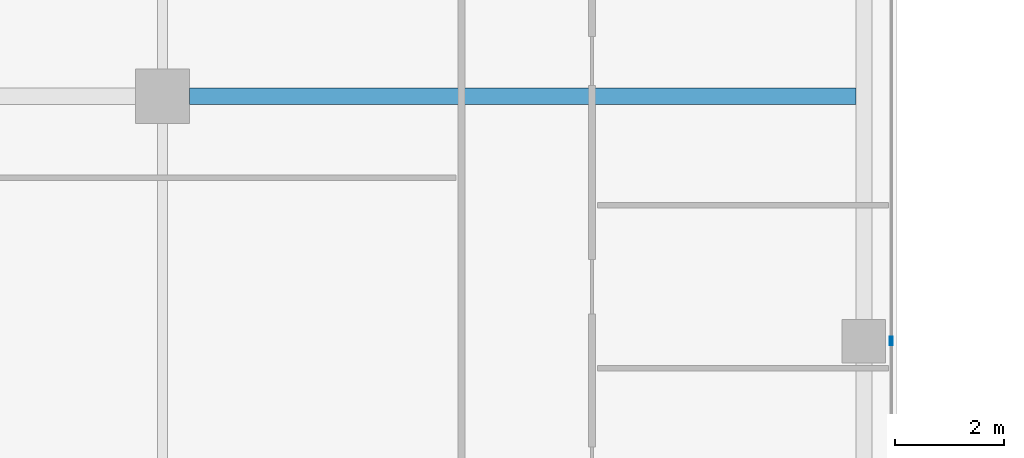
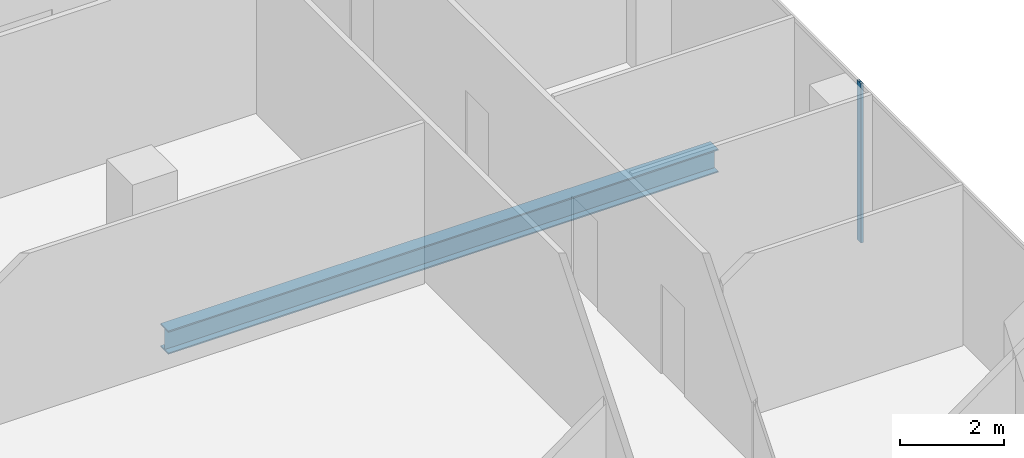
# One storey, part 10 of 28: 1 beam, 1 member, 1 element without a shape of its own.
"""IFC4 building model written with IfcOpenShell, lengths in metres."""

import ifcopenshell
import ifcopenshell.guid

model = None  # the IFC model being written
_history = None  # IfcOwnerHistory: only IFC2X3 demands one
_inside = {}  # id of a spatial element -> (the spatial element, [elements in it])
_under = {}  # id of a project, library or spatial element -> (it, [spatial elements below it])
_declared = {}  # id of a project -> (the project, [libraries it declares])
_typed = {}  # id of a type object -> (the type object, [elements of that type])
_made_of = {}  # id of a material, layer set ... -> (it, [elements and type objects made of it])


def new_model(schema):
    """Start an empty IFC model of exactly this schema.

    Asked for "IFC4X3", IfcOpenShell would pick the latest addendum, in which some entities
    have other attributes; the version numbers below select the first issue.
    IFC2X3 requires an IfcOwnerHistory on every rooted entity: one is made here for all.
    """
    global model, _history
    if schema == "IFC4X3":
        model = ifcopenshell.file(schema_version=(4, 3, 0, 0))
    else:
        model = ifcopenshell.file(schema=schema)
    _inside.clear()
    _under.clear()
    _declared.clear()
    _typed.clear()
    _made_of.clear()
    _history = None
    if model.schema == "IFC2X3":
        org = make("IfcOrganization", Name="unknown")
        user = make(
            "IfcPersonAndOrganization",
            ThePerson=make("IfcPerson", FamilyName="unknown"),
            TheOrganization=org,
        )
        app = make(
            "IfcApplication",
            ApplicationDeveloper=org,
            Version="unknown",
            ApplicationFullName="unknown",
            ApplicationIdentifier="unknown",
        )
        _history = make(
            "IfcOwnerHistory",
            OwningUser=user,
            OwningApplication=app,
            ChangeAction="ADDED",
            CreationDate=0,
        )
    return model


def make(cls, **values):
    """One entity of the class cls with the attributes given. An attribute that is None is left unset."""
    return model.create_entity(
        cls, **{name: value for name, value in values.items() if value is not None}
    )


def rooted(cls, **values):
    """An entity with a GlobalId (a new one), such as an element, a storey or a relation."""
    return make(cls, GlobalId=ifcopenshell.guid.new(), OwnerHistory=_history, **values)


def si_unit(unit_type, name, prefix=None):
    """IfcSIUnit, for example si_unit("LENGTHUNIT", "METRE", prefix="MILLI")."""
    return make("IfcSIUnit", UnitType=unit_type, Prefix=prefix, Name=name)


def assignment(units):
    """IfcUnitAssignment: the units of a project."""
    return None if units is None else make("IfcUnitAssignment", Units=units)


def point(xyz):
    """IfcCartesianPoint."""
    return None if xyz is None else make("IfcCartesianPoint", Coordinates=xyz)


def direction(xyz):
    """IfcDirection."""
    return None if xyz is None else make("IfcDirection", DirectionRatios=xyz)


def frame(location, z_axis=None, x_axis=None):
    """IfcAxis2Placement3D, a coordinate frame: its origin and axes. An axis left out is left unset."""
    return make(
        "IfcAxis2Placement3D",
        Location=point(location),
        Axis=direction(z_axis),
        RefDirection=direction(x_axis),
    )


def frame_2d(location, x_axis=None):
    """IfcAxis2Placement2D, a coordinate frame in the plane: its origin and x axis."""
    return make(
        "IfcAxis2Placement2D", Location=point(location), RefDirection=direction(x_axis)
    )


def origin():
    """The frame at (0, 0, 0) with its axes left unset."""
    return frame((0.0, 0.0, 0.0))


def origin_2d():
    """The frame at (0, 0) in the plane with its x axis left unset."""
    return frame_2d((0.0, 0.0))


def place(relative_to, where):
    """IfcLocalPlacement: puts the frame where relative to a parent placement (None: the world)."""
    return make(
        "IfcLocalPlacement", PlacementRelTo=relative_to, RelativePlacement=where
    )


def context(
    kind, dimensions, precision=None, world=None, true_north=None, identifier=None
):
    """IfcGeometricRepresentationContext, for example the 3D "Model" context."""
    return make(
        "IfcGeometricRepresentationContext",
        ContextIdentifier=identifier,
        ContextType=kind,
        CoordinateSpaceDimension=dimensions,
        Precision=precision,
        WorldCoordinateSystem=world,
        TrueNorth=true_north,
    )


def subcontext(parent, identifier, kind, view, scale=None):
    """IfcGeometricRepresentationSubContext, for example "Body" below "Model"."""
    return make(
        "IfcGeometricRepresentationSubContext",
        ContextIdentifier=identifier,
        ContextType=kind,
        ParentContext=parent,
        TargetScale=scale,
        TargetView=view,
    )


def project(units=None, contexts=None):
    """IfcProject with its units and contexts."""
    return rooted(
        "IfcProject",
        Name="project",
        RepresentationContexts=contexts,
        UnitsInContext=assignment(units),
    )


def spatial(cls, under=None, at=None, **own):
    """A site, building, storey or space (cls), placed at a placement, below another one or the project."""
    s = rooted(cls, ObjectPlacement=at, **own)
    if under is not None:
        _under.setdefault(under.id(), (under, []))[1].append(s)
    return s


def profile(cls, at=None, kind="AREA", **sizes):
    """A parametric profile (cls). Its sizes go by their IFC names, for example OverallWidth=200.0."""
    return make(cls, ProfileType=kind, Position=at, **sizes)


def hollow_rectangle(**sizes):
    """IfcRectangleHollowProfileDef."""
    return profile("IfcRectangleHollowProfileDef", **sizes)


def i_section(**sizes):
    """IfcIShapeProfileDef."""
    return profile("IfcIShapeProfileDef", **sizes)


def extrude(swept, where, along, depth):
    """IfcExtrudedAreaSolid: the profile swept, set in the frame where, extruded along a direction by depth."""
    return make(
        "IfcExtrudedAreaSolid",
        SweptArea=swept,
        Position=where,
        ExtrudedDirection=direction(along),
        Depth=depth,
    )


def shape(context_of_items, identifier, shape_type, items):
    """IfcShapeRepresentation: the items that make up one representation, for example the "Body"."""
    return make(
        "IfcShapeRepresentation",
        ContextOfItems=context_of_items,
        RepresentationIdentifier=identifier,
        RepresentationType=shape_type,
        Items=items,
    )


def source(mapping_origin, context_of_items, identifier, shape_type, items):
    """IfcRepresentationMap: a shape defined once, which mapped items show again and again."""
    return make(
        "IfcRepresentationMap",
        MappingOrigin=mapping_origin,
        MappedRepresentation=shape(context_of_items, identifier, shape_type, items),
    )


def transform(
    local_origin,
    x_axis=None,
    y_axis=None,
    z_axis=None,
    scale=None,
    scale2=None,
    scale3=None,
    uniform=True,
):
    """IfcCartesianTransformationOperator3D, or its non-uniform kind. x_axis, y_axis, z_axis: its Axis1, 2, 3."""
    if uniform:
        return make(
            "IfcCartesianTransformationOperator3D",
            Axis1=direction(x_axis),
            Axis2=direction(y_axis),
            LocalOrigin=point(local_origin),
            Scale=scale,
            Axis3=direction(z_axis),
        )
    return make(
        "IfcCartesianTransformationOperator3DnonUniform",
        Axis1=direction(x_axis),
        Axis2=direction(y_axis),
        LocalOrigin=point(local_origin),
        Scale=scale,
        Axis3=direction(z_axis),
        Scale2=scale2,
        Scale3=scale3,
    )


def mapped(mapping_source, mapping_target):
    """IfcMappedItem: shows the shape of a source again, moved by a transform."""
    return make(
        "IfcMappedItem", MappingSource=mapping_source, MappingTarget=mapping_target
    )


def material(Name=None, Category=None):
    """IfcMaterial."""
    return make("IfcMaterial", Name=Name, Category=Category)


def material_profile(
    of_material, cross_section, Name=None, Category=None, Priority=None
):
    """IfcMaterialProfile: a cross section and its material."""
    return make(
        "IfcMaterialProfile",
        Name=Name,
        Material=of_material,
        Profile=cross_section,
        Priority=Priority,
        Category=Category,
    )


def profile_set(profiles, Name=None, composite=None):
    """IfcMaterialProfileSet."""
    return make(
        "IfcMaterialProfileSet",
        Name=Name,
        MaterialProfiles=profiles,
        CompositeProfile=composite,
    )


def made_of(thing, what):
    """Note that an element or type object is made of a material, layer set ...; save() writes the relation."""
    if what is not None:
        _made_of.setdefault(what.id(), (what, []))[1].append(thing)
    return thing


def type_object(cls, material=None, **own):
    """A type object (cls), such as IfcWallType, which elements share."""
    return made_of(rooted(cls, **own), material)


def element(
    cls,
    number,
    at=None,
    inside=None,
    cuts=None,
    type_object=None,
    material=None,
    context=None,
    identifier="Body",
    shape_type=None,
    held_by="IfcProductDefinitionShape",
    body=None,
    shapes=None,
    **own,
):
    """One element of the class cls, such as IfcWall. Its Tag is "e" and its number.

    at: its placement. inside: the storey or other place that contains it. cuts: it is an
    opening in that element (IfcRelVoidsElement). A single representation is given by context,
    identifier, shape_type and body (its items); several are given by shapes. held_by: the class
    of the entity that holds the representations. save() writes the other relations.
    """
    e = rooted(cls, Tag="e%d" % number, ObjectPlacement=at, **own)
    if body is not None:
        shapes = [shape(context, identifier, shape_type, body)]
    if shapes is not None:
        e.Representation = make(held_by, Representations=shapes)
    if inside is not None:
        _inside.setdefault(inside.id(), (inside, []))[1].append(e)
    if cuts is not None:
        rooted(
            "IfcRelVoidsElement", RelatingBuildingElement=cuts, RelatedOpeningElement=e
        )
    if type_object is not None:
        _typed.setdefault(type_object.id(), (type_object, []))[1].append(e)
    return made_of(e, material)


def aggregate(whole, parts):
    """IfcRelAggregates: a whole, such as a stair, and the parts it consists of."""
    return rooted("IfcRelAggregates", RelatingObject=whole, RelatedObjects=parts)


def save(model, path):
    """Write the relations noted so far, then the file.

    IfcRelAggregates (storeys below a building ...), IfcRelContainedInSpatialStructure (elements
    in a storey), IfcRelDefinesByType, IfcRelAssociatesMaterial and IfcRelDeclares: one each for
    every whole, place, type object, material and project.
    """
    for whole, parts in _under.values():
        aggregate(whole, parts)
    for where, things in _inside.values():
        rooted(
            "IfcRelContainedInSpatialStructure",
            RelatedElements=things,
            RelatingStructure=where,
        )
    for kind, things in _typed.values():
        rooted("IfcRelDefinesByType", RelatedObjects=things, RelatingType=kind)
    for what, things in _made_of.values():
        rooted("IfcRelAssociatesMaterial", RelatedObjects=things, RelatingMaterial=what)
    for by, libraries in _declared.values():
        rooted("IfcRelDeclares", RelatingContext=by, RelatedDefinitions=libraries)
    model.write(path)


model = new_model("IFC4")

# Units and contexts
model_context = context("Model", 3, precision=1e-05, world=origin(), true_north=direction((0.0, 1.0)))
body_context = subcontext(model_context, "Body", "Model", "MODEL_VIEW")
ifc_project = project(units=[si_unit("LENGTHUNIT", "METRE"), si_unit("AREAUNIT", "SQUARE_METRE"), si_unit("VOLUMEUNIT", "CUBIC_METRE"), si_unit("PLANEANGLEUNIT", "RADIAN"), si_unit("MASSUNIT", "GRAM", prefix="KILO")], contexts=[model_context])

# Site, building, storey
site_placement = place(None, origin())
site = spatial("IfcSite", under=ifc_project, at=site_placement, CompositionType="ELEMENT")
building_placement = place(site_placement, origin())
building = spatial("IfcBuilding", under=site, at=building_placement, Name="Khomas Fold Tower", CompositionType="ELEMENT")
storey_placement = place(building_placement, frame((0.0, 0.0, 302.199951171875)))
storey = spatial("IfcBuildingStorey", under=building, at=storey_placement, Name="L68", CompositionType="ELEMENT", Elevation=302.199951171875)

# Beam
ifc_material_1 = material(Name="Steel S355", Category="steel")
ifc_material_profile_1 = material_profile(ifc_material_1, i_section(OverallWidth=0.300048828125, OverallDepth=0.550048828125, WebThickness=0.014892578125, FlangeThickness=0.029052734375, at=origin_2d()), Name="HE 550 B")
ifc_profile_set_1 = profile_set([ifc_material_profile_1], Name="Steel S355")
beam_type = type_object("IfcBeamType", Name="HE 550 B beam GB4", PredefinedType="BEAM", material=ifc_profile_set_1)
shared_shape_1 = source(origin(), body_context, "Body", "SweptSolid", [
    extrude(i_section(OverallWidth=0.300048828125, OverallDepth=0.550048828125, WebThickness=0.014892578125, FlangeThickness=0.029052734375, at=origin_2d()), origin(), (0.0, 0.0, 1.0), 12.25),
])
beam_placement = place(storey_placement, frame((35.0, 31.5, -0.52490234375), z_axis=(1.0, 0.0, 0.0), x_axis=(0.0, 1.0, 0.0)))
element("IfcBeam", 1, at=beam_placement, inside=storey, type_object=beam_type, Name="GB4", PredefinedType="BEAM", context=body_context, shape_type="MappedRepresentation", body=[
    mapped(shared_shape_1, transform((0.0, 0.0, 0.0))),
])

# Curtain wall, member
ifc_material_2 = material(Name="Aluminium framed double glazing", Category="aluminium")
curtain_wall_type = type_object("IfcCurtainWallType", Name="SK-Unitised clear-glass wall, upper floors CW3", PredefinedType="NOTDEFINED", material=ifc_material_2)
curtain_wall_placement = place(storey_placement, origin())
curtain_wall = element("IfcCurtainWall", 2, at=curtain_wall_placement, inside=storey, type_object=curtain_wall_type, Name="CW3 run L68 03-0", PredefinedType="NOTDEFINED")
ifc_material_3 = material(Name="Aluminium", Category="aluminium")
ifc_material_profile_2 = material_profile(ifc_material_3, hollow_rectangle(XDim=0.050048828125, YDim=0.159912109375, WallThickness=0.00390625, at=origin_2d()), Name="SK-Unitised clear-glass wall, upper floors mullion CW3-M")
ifc_profile_set_2 = profile_set([ifc_material_profile_2], Name="Aluminium")
member_type = type_object("IfcMemberType", Name="SK-Unitised clear-glass wall, upper floors mullion CW3-M", PredefinedType="MULLION", material=ifc_profile_set_2)
shared_shape_2 = source(origin(), body_context, "Body", "SweptSolid", [
    extrude(hollow_rectangle(XDim=0.050048828125, YDim=0.159912109375, WallThickness=0.00390625, at=origin_2d()), origin(), (0.0, 0.0, 1.0), 3.75),
])
member_placement = place(storey_placement, frame((47.89990234375, 27.0, 0.0), z_axis=(0.0, 0.0, 1.0), x_axis=(-1.0, 0.0, 0.0)))
member = element("IfcMember", 3, at=member_placement, type_object=member_type, Name="CW3 mullion 4", PredefinedType="MULLION", context=body_context, shape_type="MappedRepresentation", body=[
    mapped(shared_shape_2, transform((0.0, 0.0, 0.0))),
])
aggregate(curtain_wall, [member])

save(model, "model.ifc")
